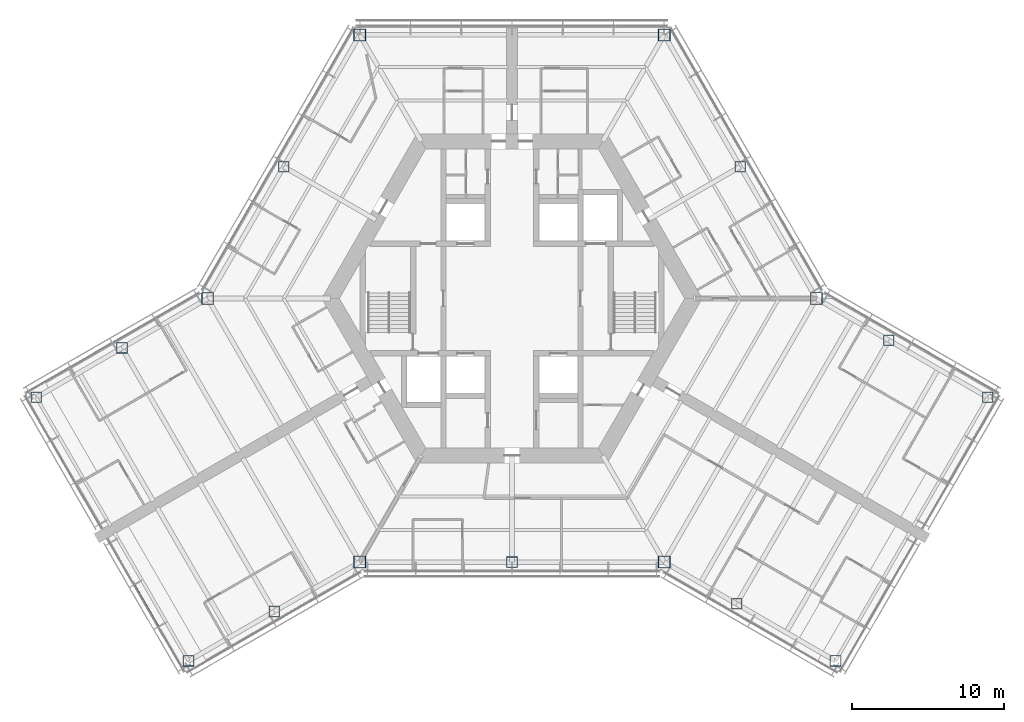
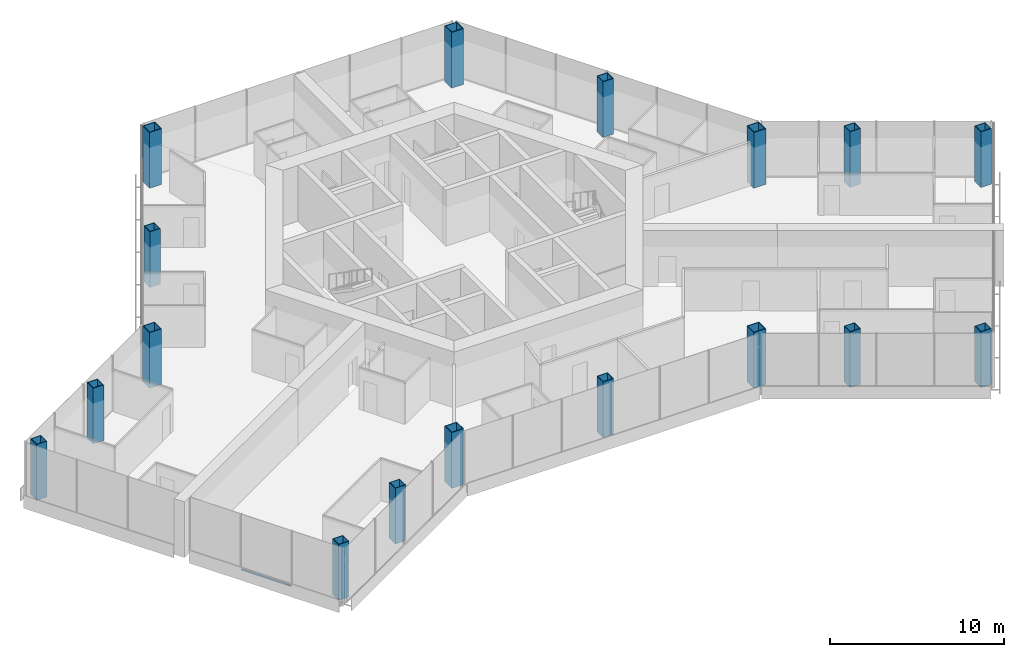
# One storey, part 1 of 18: 17 columns, 1 member, 1 element without a shape of its own.
"""IFC4 building model written with IfcOpenShell, lengths in metres."""

import ifcopenshell
import ifcopenshell.guid

model = None  # the IFC model being written
_history = None  # IfcOwnerHistory: only IFC2X3 demands one
_inside = {}  # id of a spatial element -> (the spatial element, [elements in it])
_under = {}  # id of a project, library or spatial element -> (it, [spatial elements below it])
_declared = {}  # id of a project -> (the project, [libraries it declares])
_typed = {}  # id of a type object -> (the type object, [elements of that type])
_made_of = {}  # id of a material, layer set ... -> (it, [elements and type objects made of it])


def new_model(schema):
    """Start an empty IFC model of exactly this schema.

    Asked for "IFC4X3", IfcOpenShell would pick the latest addendum, in which some entities
    have other attributes; the version numbers below select the first issue.
    IFC2X3 requires an IfcOwnerHistory on every rooted entity: one is made here for all.
    """
    global model, _history
    if schema == "IFC4X3":
        model = ifcopenshell.file(schema_version=(4, 3, 0, 0))
    else:
        model = ifcopenshell.file(schema=schema)
    _inside.clear()
    _under.clear()
    _declared.clear()
    _typed.clear()
    _made_of.clear()
    _history = None
    if model.schema == "IFC2X3":
        org = make("IfcOrganization", Name="unknown")
        user = make(
            "IfcPersonAndOrganization",
            ThePerson=make("IfcPerson", FamilyName="unknown"),
            TheOrganization=org,
        )
        app = make(
            "IfcApplication",
            ApplicationDeveloper=org,
            Version="unknown",
            ApplicationFullName="unknown",
            ApplicationIdentifier="unknown",
        )
        _history = make(
            "IfcOwnerHistory",
            OwningUser=user,
            OwningApplication=app,
            ChangeAction="ADDED",
            CreationDate=0,
        )
    return model


def make(cls, **values):
    """One entity of the class cls with the attributes given. An attribute that is None is left unset."""
    return model.create_entity(
        cls, **{name: value for name, value in values.items() if value is not None}
    )


def rooted(cls, **values):
    """An entity with a GlobalId (a new one), such as an element, a storey or a relation."""
    return make(cls, GlobalId=ifcopenshell.guid.new(), OwnerHistory=_history, **values)


def si_unit(unit_type, name, prefix=None):
    """IfcSIUnit, for example si_unit("LENGTHUNIT", "METRE", prefix="MILLI")."""
    return make("IfcSIUnit", UnitType=unit_type, Prefix=prefix, Name=name)


def assignment(units):
    """IfcUnitAssignment: the units of a project."""
    return None if units is None else make("IfcUnitAssignment", Units=units)


def point(xyz):
    """IfcCartesianPoint."""
    return None if xyz is None else make("IfcCartesianPoint", Coordinates=xyz)


def direction(xyz):
    """IfcDirection."""
    return None if xyz is None else make("IfcDirection", DirectionRatios=xyz)


def frame(location, z_axis=None, x_axis=None):
    """IfcAxis2Placement3D, a coordinate frame: its origin and axes. An axis left out is left unset."""
    return make(
        "IfcAxis2Placement3D",
        Location=point(location),
        Axis=direction(z_axis),
        RefDirection=direction(x_axis),
    )


def frame_2d(location, x_axis=None):
    """IfcAxis2Placement2D, a coordinate frame in the plane: its origin and x axis."""
    return make(
        "IfcAxis2Placement2D", Location=point(location), RefDirection=direction(x_axis)
    )


def origin():
    """The frame at (0, 0, 0) with its axes left unset."""
    return frame((0.0, 0.0, 0.0))


def origin_2d():
    """The frame at (0, 0) in the plane with its x axis left unset."""
    return frame_2d((0.0, 0.0))


def place(relative_to, where):
    """IfcLocalPlacement: puts the frame where relative to a parent placement (None: the world)."""
    return make(
        "IfcLocalPlacement", PlacementRelTo=relative_to, RelativePlacement=where
    )


def context(
    kind, dimensions, precision=None, world=None, true_north=None, identifier=None
):
    """IfcGeometricRepresentationContext, for example the 3D "Model" context."""
    return make(
        "IfcGeometricRepresentationContext",
        ContextIdentifier=identifier,
        ContextType=kind,
        CoordinateSpaceDimension=dimensions,
        Precision=precision,
        WorldCoordinateSystem=world,
        TrueNorth=true_north,
    )


def subcontext(parent, identifier, kind, view, scale=None):
    """IfcGeometricRepresentationSubContext, for example "Body" below "Model"."""
    return make(
        "IfcGeometricRepresentationSubContext",
        ContextIdentifier=identifier,
        ContextType=kind,
        ParentContext=parent,
        TargetScale=scale,
        TargetView=view,
    )


def project(units=None, contexts=None):
    """IfcProject with its units and contexts."""
    return rooted(
        "IfcProject",
        Name="project",
        RepresentationContexts=contexts,
        UnitsInContext=assignment(units),
    )


def spatial(cls, under=None, at=None, **own):
    """A site, building, storey or space (cls), placed at a placement, below another one or the project."""
    s = rooted(cls, ObjectPlacement=at, **own)
    if under is not None:
        _under.setdefault(under.id(), (under, []))[1].append(s)
    return s


def profile(cls, at=None, kind="AREA", **sizes):
    """A parametric profile (cls). Its sizes go by their IFC names, for example OverallWidth=200.0."""
    return make(cls, ProfileType=kind, Position=at, **sizes)


def rectangle(**sizes):
    """IfcRectangleProfileDef."""
    return profile("IfcRectangleProfileDef", **sizes)


def hollow_rectangle(**sizes):
    """IfcRectangleHollowProfileDef."""
    return profile("IfcRectangleHollowProfileDef", **sizes)


def extrude(swept, where, along, depth):
    """IfcExtrudedAreaSolid: the profile swept, set in the frame where, extruded along a direction by depth."""
    return make(
        "IfcExtrudedAreaSolid",
        SweptArea=swept,
        Position=where,
        ExtrudedDirection=direction(along),
        Depth=depth,
    )


def shape(context_of_items, identifier, shape_type, items):
    """IfcShapeRepresentation: the items that make up one representation, for example the "Body"."""
    return make(
        "IfcShapeRepresentation",
        ContextOfItems=context_of_items,
        RepresentationIdentifier=identifier,
        RepresentationType=shape_type,
        Items=items,
    )


def material(Name=None, Category=None):
    """IfcMaterial."""
    return make("IfcMaterial", Name=Name, Category=Category)


def material_profile(
    of_material, cross_section, Name=None, Category=None, Priority=None
):
    """IfcMaterialProfile: a cross section and its material."""
    return make(
        "IfcMaterialProfile",
        Name=Name,
        Material=of_material,
        Profile=cross_section,
        Priority=Priority,
        Category=Category,
    )


def profile_set(profiles, Name=None, composite=None):
    """IfcMaterialProfileSet."""
    return make(
        "IfcMaterialProfileSet",
        Name=Name,
        MaterialProfiles=profiles,
        CompositeProfile=composite,
    )


def made_of(thing, what):
    """Note that an element or type object is made of a material, layer set ...; save() writes the relation."""
    if what is not None:
        _made_of.setdefault(what.id(), (what, []))[1].append(thing)
    return thing


def type_object(cls, material=None, **own):
    """A type object (cls), such as IfcWallType, which elements share."""
    return made_of(rooted(cls, **own), material)


def element(
    cls,
    number,
    at=None,
    inside=None,
    cuts=None,
    type_object=None,
    material=None,
    context=None,
    identifier="Body",
    shape_type=None,
    held_by="IfcProductDefinitionShape",
    body=None,
    shapes=None,
    **own,
):
    """One element of the class cls, such as IfcWall. Its Tag is "e" and its number.

    at: its placement. inside: the storey or other place that contains it. cuts: it is an
    opening in that element (IfcRelVoidsElement). A single representation is given by context,
    identifier, shape_type and body (its items); several are given by shapes. held_by: the class
    of the entity that holds the representations. save() writes the other relations.
    """
    e = rooted(cls, Tag="e%d" % number, ObjectPlacement=at, **own)
    if body is not None:
        shapes = [shape(context, identifier, shape_type, body)]
    if shapes is not None:
        e.Representation = make(held_by, Representations=shapes)
    if inside is not None:
        _inside.setdefault(inside.id(), (inside, []))[1].append(e)
    if cuts is not None:
        rooted(
            "IfcRelVoidsElement", RelatingBuildingElement=cuts, RelatedOpeningElement=e
        )
    if type_object is not None:
        _typed.setdefault(type_object.id(), (type_object, []))[1].append(e)
    return made_of(e, material)


def aggregate(whole, parts):
    """IfcRelAggregates: a whole, such as a stair, and the parts it consists of."""
    return rooted("IfcRelAggregates", RelatingObject=whole, RelatedObjects=parts)


def save(model, path):
    """Write the relations noted so far, then the file.

    IfcRelAggregates (storeys below a building ...), IfcRelContainedInSpatialStructure (elements
    in a storey), IfcRelDefinesByType, IfcRelAssociatesMaterial and IfcRelDeclares: one each for
    every whole, place, type object, material and project.
    """
    for whole, parts in _under.values():
        aggregate(whole, parts)
    for where, things in _inside.values():
        rooted(
            "IfcRelContainedInSpatialStructure",
            RelatedElements=things,
            RelatingStructure=where,
        )
    for kind, things in _typed.values():
        rooted("IfcRelDefinesByType", RelatedObjects=things, RelatingType=kind)
    for what, things in _made_of.values():
        rooted("IfcRelAssociatesMaterial", RelatedObjects=things, RelatingMaterial=what)
    for by, libraries in _declared.values():
        rooted("IfcRelDeclares", RelatingContext=by, RelatedDefinitions=libraries)
    model.write(path)


model = new_model("IFC4")

# Units and contexts
model_context = context("Model", 3, precision=1e-05, world=origin(), true_north=direction((0.0, 1.0)))
body_context = subcontext(model_context, "Body", "Model", "MODEL_VIEW")
ifc_project = project(units=[si_unit("LENGTHUNIT", "METRE"), si_unit("AREAUNIT", "SQUARE_METRE"), si_unit("VOLUMEUNIT", "CUBIC_METRE"), si_unit("PLANEANGLEUNIT", "RADIAN"), si_unit("MASSUNIT", "GRAM", prefix="KILO")], contexts=[model_context])

# Site, building, storey
site_placement = place(None, origin())
site = spatial("IfcSite", under=ifc_project, at=site_placement, CompositionType="ELEMENT")
building_placement = place(site_placement, origin())
building = spatial("IfcBuilding", under=site, at=building_placement, Name="Kasaneha Research Tower", CompositionType="ELEMENT")
storey_placement = place(building_placement, frame((0.0, 0.0, 172.10009765625)))
storey = spatial("IfcBuildingStorey", under=building, at=storey_placement, Name="L43", CompositionType="ELEMENT", Elevation=172.10009765625)

# Columns
ifc_material_1 = material(Name="Steel SN490C", Category="steel")
ifc_material_profile_1 = material_profile(ifc_material_1, hollow_rectangle(XDim=0.800048828125, YDim=0.800048828125, WallThickness=0.044921875, at=origin_2d()), Name="BOX-800x800x45")
ifc_profile_set_1 = profile_set([ifc_material_profile_1], Name="Steel SN490C")
column_type_1 = type_object("IfcColumnType", Name="C3A column BOX-800x800x45", PredefinedType="COLUMN", material=ifc_profile_set_1)
for number, where, z_axis, x_axis, name in (
    (1, (20.0, 0.0, 0.0), (0.0, 0.0, 1.0), (1.0, 0.0, 0.0), "Column V0 L43"),
    (2, (10.0, 17.320556640625, 0.0), (0.0, 0.0, 1.0), (1.0, 0.0, 0.0), "Column V1 L43"),
    (3, (-10.0, 17.320556640625, 0.0), (0.0, 0.0, 1.0), (1.0, 0.0, 0.0), "Column V2 L43"),
    (4, (-20.0, 0.0, 0.0), (0.0, 0.0, 1.0), (1.0, 0.0, 0.0), "Column V3 L43"),
    (5, (-10.0, -17.320556640625, 0.0), (0.0, 0.0, 1.0), (1.0, 0.0, 0.0), "Column V4 L43"),
    (6, (10.0, -17.320556640625, 0.0), (0.0, 0.0, 1.0), (1.0, 0.0, 0.0), "Column V5 L43"),
):
    element("IfcColumn", number, at=place(storey_placement, frame(where, z_axis=z_axis, x_axis=x_axis)), inside=storey, type_object=column_type_1, Name=name, PredefinedType="COLUMN", context=body_context, shape_type="SweptSolid", body=[
        extrude(hollow_rectangle(XDim=0.800048828125, YDim=0.800048828125, WallThickness=0.044921875, at=origin_2d()), origin(), (0.0, 0.0, 1.0), 3.89990234375),
    ])
ifc_material_2 = material(Name="Steel SN490C", Category="steel")
ifc_material_profile_2 = material_profile(ifc_material_2, hollow_rectangle(XDim=0.699951171875, YDim=0.699951171875, WallThickness=0.035888671875, at=origin_2d()), Name="BOX-700x700x36")
ifc_profile_set_2 = profile_set([ifc_material_profile_2], Name="Steel SN490C")
column_type_2 = type_object("IfcColumnType", Name="C3B column BOX-700x700x36", PredefinedType="COLUMN", material=ifc_profile_set_2)
for number, where, z_axis, x_axis, name in (
    (7, (15.0, 8.66015625, 0.0), (0.0, 0.0, 1.0), (1.0, 0.0, 0.0), "Column M030 L43"),
    (8, (-15.0, 8.66015625, 0.0), (0.0, 0.0, 1.0), (1.0, 0.0, 0.0), "Column M150 L43"),
    (9, (0.0, -17.320556640625, 0.0), (0.0, 0.0, 1.0), (1.0, 0.0, 0.0), "Column M270 L43"),
    (10, (-25.629150390625, -3.25, 0.0), (0.0, 0.0, 1.0), (1.0, 0.0, 0.0), "Column BSP L43"),
    (11, (-31.25830078125, -6.5, 0.0), (0.0, 0.0, 1.0), (1.0, 0.0, 0.0), "Column BTP L43"),
    (12, (-15.629150390625, -20.570556640625, 0.0), (0.0, 0.0, 1.0), (1.0, 0.0, 0.0), "Column BSN L43"),
    (13, (-21.25830078125, -23.820556640625, 0.0), (0.0, 0.0, 1.0), (1.0, 0.0, 0.0), "Column BTN L43"),
    (14, (14.76318359375, -20.070556640625, 0.0), (0.0, 0.0, 1.0), (1.0, 0.0, 0.0), "Column CSP L43"),
    (15, (21.25830078125, -23.820556640625, 0.0), (0.0, 0.0, 1.0), (1.0, 0.0, 0.0), "Column CTP L43"),
    (16, (24.76318359375, -2.75, 0.0), (0.0, 0.0, 1.0), (1.0, 0.0, 0.0), "Column CSN L43"),
    (17, (31.25830078125, -6.5, 0.0), (0.0, 0.0, 1.0), (1.0, 0.0, 0.0), "Column CTN L43"),
):
    element("IfcColumn", number, at=place(storey_placement, frame(where, z_axis=z_axis, x_axis=x_axis)), inside=storey, type_object=column_type_2, Name=name, PredefinedType="COLUMN", context=body_context, shape_type="SweptSolid", body=[
        extrude(hollow_rectangle(XDim=0.699951171875, YDim=0.699951171875, WallThickness=0.035888671875, at=origin_2d()), origin(), (0.0, 0.0, 1.0), 3.89990234375),
    ])

# Curtain wall, member
ifc_material_3 = material(Name="Glass and aluminium", Category="aluminium")
curtain_wall_type = type_object("IfcCurtainWallType", Name="Mid-rise office curtain wall", PredefinedType="USERDEFINED", material=ifc_material_3)
curtain_wall_placement = place(storey_placement, origin())
curtain_wall = element("IfcCurtainWall", 18, at=curtain_wall_placement, inside=storey, type_object=curtain_wall_type, Name="CW-O2 L43 run 11a", ObjectType="UNITISED CURTAIN WALL", PredefinedType="USERDEFINED")
ifc_material_4 = material(Name="Aluminium 6063-T6", Category="aluminium")
ifc_material_profile_3 = material_profile(ifc_material_4, rectangle(XDim=0.110107421875, YDim=0.06005859375, at=origin_2d()), Name="CW-O2 transom 110x60")
ifc_profile_set_3 = profile_set([ifc_material_profile_3], Name="Aluminium 6063-T6")
member_type = type_object("IfcMemberType", Name="CW-O2 transom", PredefinedType="USERDEFINED", material=ifc_profile_set_3)
member_placement = place(storey_placement, frame((-24.896240234375, -18.719482421875, 0.02978515625), z_axis=(0.500010745865, -0.866019199568, 0.0), x_axis=(0.866019199568, 0.500010745865, 0.0)))
member = element("IfcMember", 19, at=member_placement, type_object=member_type, Name="CW-O2 transom 2", ObjectType="TRANSOM", PredefinedType="USERDEFINED", context=body_context, shape_type="SweptSolid", body=[
    extrude(rectangle(XDim=0.110107421875, YDim=0.06005859375, at=origin_2d()), origin(), (0.0, 0.0, 1.0), 3.3232421875),
])
aggregate(curtain_wall, [member])

save(model, "model.ifc")
